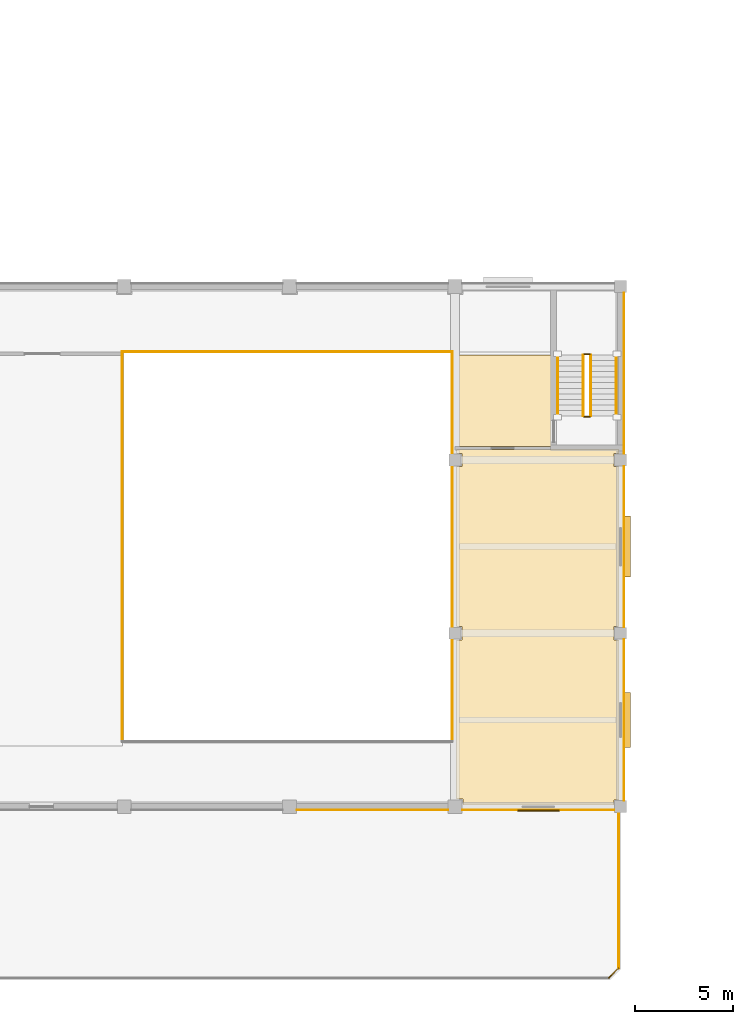
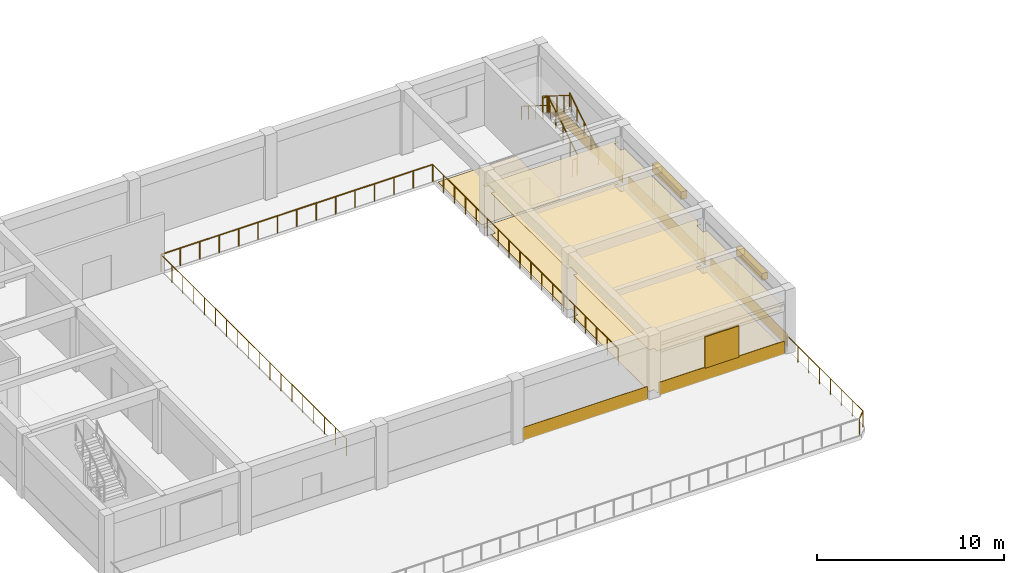
# One storey, part 47 of 57: 11 railings, 8 coverings, 3 shading devices.
"""IFC4 building model written with IfcOpenShell, lengths in metres."""

from ifc_helpers import new_model, si_unit, direction, frame, origin, origin_2d, place, context, subcontext, project, spatial, polyline, rectangle, circle, outline, extrude, material, layer, layer_set, type_object, element, save


model = new_model("IFC4")

# Units and contexts
model_context = context("Model", 3, precision=1e-05, world=origin(), true_north=direction((0.0, 1.0)))
body_context = subcontext(model_context, "Body", "Model", "MODEL_VIEW")
ifc_project = project(units=[si_unit("LENGTHUNIT", "METRE"), si_unit("AREAUNIT", "SQUARE_METRE"), si_unit("VOLUMEUNIT", "CUBIC_METRE"), si_unit("PLANEANGLEUNIT", "RADIAN"), si_unit("MASSUNIT", "GRAM", prefix="KILO")], contexts=[model_context])

# Site, building, storey
site_placement = place(None, origin())
site = spatial("IfcSite", under=ifc_project, at=site_placement, CompositionType="ELEMENT")
building_placement = place(site_placement, origin())
building = spatial("IfcBuilding", under=site, at=building_placement, Name="Kemercrest Conservatory and Botanical Centre", CompositionType="ELEMENT")
storey_placement = place(building_placement, frame((0.0, 0.0, 4.800048828125)))
storey = spatial("IfcBuildingStorey", under=building, at=storey_placement, Name="L01", CompositionType="ELEMENT", Elevation=4.800048828125)

# Coverings
ifc_material_1 = material(Name="Glazed turquoise ceramic tile spandrel", Category="masonry")
ifc_layer_1 = layer(ifc_material_1, 0.028076171875)
ifc_layer_set_1 = layer_set([ifc_layer_1], Name="Glazed turquoise ceramic tile spandrel")
covering_type_1 = type_object("IfcCoveringType", Name="CV-CLD028", PredefinedType="CLADDING", material=ifc_layer_set_1)
covering_1_placement = place(storey_placement, origin())
element("IfcCovering", 1, at=covering_1_placement, inside=storey, type_object=covering_type_1, Name="Exterior stone spandrel cladding (WAL:L01:EXT-040)", PredefinedType="CLADDING", context=body_context, shape_type="SweptSolid", body=[
    extrude(outline(polyline([(83.9599609375, 16.64990234375), (83.9599609375, 16.6220703125), (91.639892578125, 16.6220703125), (91.639892578125, 16.64990234375), (83.9599609375, 16.64990234375)])), origin(), (0.0, 0.0, 1.0), 0.849853515625),
])
covering_2_placement = place(storey_placement, origin())
element("IfcCovering", 2, at=covering_2_placement, inside=storey, type_object=covering_type_1, Name="Exterior stone spandrel cladding (WAL:L01:EXT-041)", PredefinedType="CLADDING", context=body_context, shape_type="SweptSolid", body=[
    extrude(outline(polyline([(92.360107421875, 16.64990234375), (92.360107421875, 16.6220703125), (100.090087890625, 16.6220703125), (100.090087890625, 16.64990234375), (92.360107421875, 16.64990234375)])), origin(), (0.0, 0.0, 1.0), 0.849853515625),
])
covering_3_placement = place(storey_placement, origin())
element("IfcCovering", 3, at=covering_3_placement, inside=storey, type_object=covering_type_1, Name="Exterior stone spandrel cladding (WAL:L01:EXT-042)", PredefinedType="CLADDING", context=body_context, shape_type="SweptSolid", body=[
    extrude(outline(polyline([(100.550048828125, 17.110107421875), (100.577880859375, 17.110107421875), (100.577880859375, 25.2900390625), (100.550048828125, 25.2900390625), (100.550048828125, 17.110107421875)])), origin(), (0.0, 0.0, 1.0), 0.849853515625),
])
covering_4_placement = place(storey_placement, origin())
element("IfcCovering", 4, at=covering_4_placement, inside=storey, type_object=covering_type_1, Name="Exterior stone spandrel cladding (WAL:L01:EXT-043)", PredefinedType="CLADDING", context=body_context, shape_type="SweptSolid", body=[
    extrude(outline(polyline([(100.550048828125, 25.909912109375), (100.577880859375, 25.909912109375), (100.577880859375, 34.090087890625), (100.550048828125, 34.090087890625), (100.550048828125, 25.909912109375)])), origin(), (0.0, 0.0, 1.0), 0.849853515625),
])
covering_5_placement = place(storey_placement, origin())
element("IfcCovering", 5, at=covering_5_placement, inside=storey, type_object=covering_type_1, Name="Exterior stone spandrel cladding (WAL:L01:EXT-044)", PredefinedType="CLADDING", context=body_context, shape_type="SweptSolid", body=[
    extrude(outline(polyline([(100.550048828125, 34.7099609375), (100.577880859375, 34.7099609375), (100.577880859375, 42.889892578125), (100.550048828125, 42.889892578125), (100.550048828125, 34.7099609375)])), origin(), (0.0, 0.0, 1.0), 0.849853515625),
])
ifc_material_2 = material(Name="Perforated acoustic gypsum and mineral-fibre suspended ceiling", Category="gypsum")
ifc_layer_2 = layer(ifc_material_2, 0.034912109375)
ifc_layer_set_2 = layer_set([ifc_layer_2], Name="Perforated acoustic gypsum and mineral-fibre suspended ceiling")
covering_type_2 = type_object("IfcCoveringType", Name="CV-CLG035", PredefinedType="CEILING", material=ifc_layer_set_2)
covering_6_placement = place(storey_placement, frame((0.0, 0.0, 2.699951171875)))
element("IfcCovering", 6, at=covering_6_placement, inside=storey, type_object=covering_type_2, Name="Simultaneous Interpretation Studio suspended acoustic ceiling", PredefinedType="CEILING", context=body_context, shape_type="SweptSolid", body=[
    extrude(outline(polyline([(92.389892578125, 16.8798828125), (100.06005859375, 16.8798828125), (100.06005859375, 17.139892578125), (100.320068359375, 17.139892578125), (100.320068359375, 25.260009765625), (100.06005859375, 25.260009765625), (100.06005859375, 25.93994140625), (100.320068359375, 25.93994140625), (100.320068359375, 34.06005859375), (100.06005859375, 34.06005859375), (100.06005859375, 34.739990234375), (100.320068359375, 34.739990234375), (100.320068359375, 34.919921875), (92.080078125, 34.919921875), (92.080078125, 34.739990234375), (92.340087890625, 34.739990234375), (92.340087890625, 34.06005859375), (92.080078125, 34.06005859375), (92.080078125, 25.93994140625), (92.340087890625, 25.93994140625), (92.340087890625, 25.260009765625), (92.080078125, 25.260009765625), (92.080078125, 17.18994140625), (92.389892578125, 17.18994140625), (92.389892578125, 16.8798828125)])), origin(), (0.0, 0.0, 1.0), 0.034912109375),
])
ifc_material_3 = material(Name="Polished limestone terrazzo and seamless laboratory epoxy flooring", Category="masonry")
ifc_layer_3 = layer(ifc_material_3, 0.02001953125)
ifc_layer_set_3 = layer_set([ifc_layer_3], Name="Polished limestone terrazzo and seamless laboratory epoxy flooring")
covering_type_3 = type_object("IfcCoveringType", Name="CV-FLR020", PredefinedType="FLOORING", material=ifc_layer_set_3)
covering_7_placement = place(storey_placement, origin())
element("IfcCovering", 7, at=covering_7_placement, inside=storey, type_object=covering_type_3, Name="East Auditorium Exit Lobby terrazzo floor finish", PredefinedType="FLOORING", context=body_context, shape_type="SweptSolid", body=[
    extrude(outline(polyline([(92.080078125, 35.080078125), (96.919921875, 35.080078125), (96.919921875, 39.719970703125), (92.080078125, 39.719970703125), (92.080078125, 35.080078125)])), origin(), (0.0, 0.0, 1.0), 0.02001953125),
])
covering_8_placement = place(storey_placement, origin())
element("IfcCovering", 8, at=covering_8_placement, inside=storey, type_object=covering_type_3, Name="Simultaneous Interpretation Studio floor finish", PredefinedType="FLOORING", context=body_context, shape_type="SweptSolid", body=[
    extrude(outline(polyline([(92.389892578125, 16.8798828125), (100.06005859375, 16.8798828125), (100.06005859375, 17.139892578125), (100.320068359375, 17.139892578125), (100.320068359375, 25.260009765625), (100.06005859375, 25.260009765625), (100.06005859375, 25.93994140625), (100.320068359375, 25.93994140625), (100.320068359375, 34.06005859375), (100.06005859375, 34.06005859375), (100.06005859375, 34.739990234375), (100.320068359375, 34.739990234375), (100.320068359375, 34.919921875), (92.080078125, 34.919921875), (92.080078125, 34.739990234375), (92.340087890625, 34.739990234375), (92.340087890625, 34.06005859375), (92.080078125, 34.06005859375), (92.080078125, 25.93994140625), (92.340087890625, 25.93994140625), (92.340087890625, 25.260009765625), (92.080078125, 25.260009765625), (92.080078125, 17.18994140625), (92.389892578125, 17.18994140625), (92.389892578125, 16.8798828125)])), origin(), (0.0, 0.0, 1.0), 0.02001953125),
])

# Railings
ifc_material_4 = material(Name="Painted galvanized steel tubular stair guardrail", Category="steel")
railing_type_1 = type_object("IfcRailingType", Name="GR-STR110", PredefinedType="GUARDRAIL", material=ifc_material_4)
railing_1_placement = place(storey_placement, frame((98.889892578125, 36.639892578125, 0.175048828125)))
element("IfcRailing", 9, at=railing_1_placement, inside=storey, type_object=railing_type_1, Name="L01 ST-V2B stair guard 1", PredefinedType="GUARDRAIL", context=body_context, shape_type="SweptSolid", body=[
    extrude(circle(Radius=0.02392578125, at=origin_2d()), frame((0.0, 0.0, 1.076171875), z_axis=(0.0, 0.848028513186, 0.529950602248), x_axis=(-1.0, 0.0, 0.0)), (0.0, 0.0, 1.0), 3.632080078125),
    extrude(circle(Radius=0.02099609375, at=origin_2d()), origin(), (0.0, 0.0, 1.0), 1.052001953125),
    extrude(circle(Radius=0.02099609375, at=origin_2d()), frame((0.0, 0.77001953125, 0.481201171875)), (0.0, 0.0, 1.0), 1.052001953125),
    extrude(circle(Radius=0.02099609375, at=origin_2d()), frame((0.0, 1.5400390625, 0.96240234375)), (0.0, 0.0, 1.0), 1.052001953125),
    extrude(circle(Radius=0.02099609375, at=origin_2d()), frame((0.0, 2.31005859375, 1.443603515625)), (0.0, 0.0, 1.0), 1.052001953125),
    extrude(circle(Radius=0.02099609375, at=origin_2d()), frame((0.0, 3.080078125, 1.9248046875)), (0.0, 0.0, 1.0), 1.052001953125),
])
railing_2_placement = place(storey_placement, frame((98.840087890625, 39.77001953125, 2.099853515625)))
element("IfcRailing", 10, at=railing_2_placement, inside=storey, type_object=railing_type_1, Name="L01 ST-V2B stair guard 2", PredefinedType="GUARDRAIL", context=body_context, shape_type="SweptSolid", body=[
    extrude(circle(Radius=0.02392578125, at=origin_2d()), frame((0.0, 0.0, 1.076171875), z_axis=(-1.0, 0.0, 0.0), x_axis=(0.0, -1.0, 0.0)), (0.0, 0.0, 1.0), 0.280029296875),
    extrude(circle(Radius=0.02099609375, at=origin_2d()), origin(), (0.0, 0.0, 1.0), 1.052001953125),
    extrude(circle(Radius=0.02099609375, at=origin_2d()), frame((-0.280029296875, 0.0, 0.0)), (0.0, 0.0, 1.0), 1.052001953125),
])
railing_3_placement = place(storey_placement, frame((98.510009765625, 39.719970703125, 2.27490234375)))
element("IfcRailing", 11, at=railing_3_placement, inside=storey, type_object=railing_type_1, Name="L01 ST-V2B stair guard 3", PredefinedType="GUARDRAIL", context=body_context, shape_type="SweptSolid", body=[
    extrude(circle(Radius=0.02392578125, at=origin_2d()), frame((0.0, 0.0, 1.076171875), z_axis=(0.0, -0.847998304005, 0.529998940003), x_axis=(1.0, 0.0, 0.0)), (0.0, 0.0, 1.0), 3.632080078125),
    extrude(circle(Radius=0.02099609375, at=origin_2d()), origin(), (0.0, 0.0, 1.0), 1.052001953125),
    extrude(circle(Radius=0.02099609375, at=origin_2d()), frame((0.0, -0.77001953125, 0.481201171875)), (0.0, 0.0, 1.0), 1.052001953125),
    extrude(circle(Radius=0.02099609375, at=origin_2d()), frame((0.0, -1.5400390625, 0.96240234375)), (0.0, 0.0, 1.0), 1.052001953125),
    extrude(circle(Radius=0.02099609375, at=origin_2d()), frame((0.0, -2.31005859375, 1.44384765625)), (0.0, 0.0, 1.0), 1.052001953125),
    extrude(circle(Radius=0.02099609375, at=origin_2d()), frame((0.0, -3.080078125, 1.925048828125)), (0.0, 0.0, 1.0), 1.052001953125),
])
railing_4_placement = place(storey_placement, frame((98.840087890625, 36.590087890625, 0.0)))
element("IfcRailing", 12, at=railing_4_placement, inside=storey, type_object=railing_type_1, Name="L01 ST-V2B stair guard 4", PredefinedType="GUARDRAIL", context=body_context, shape_type="SweptSolid", body=[
    extrude(circle(Radius=0.02392578125, at=origin_2d()), frame((0.0, 0.0, 1.076171875), z_axis=(-1.0, 0.0, 0.0), x_axis=(0.0, -1.0, 0.0)), (0.0, 0.0, 1.0), 0.280029296875),
    extrude(circle(Radius=0.02099609375, at=origin_2d()), origin(), (0.0, 0.0, 1.0), 1.052001953125),
    extrude(circle(Radius=0.02099609375, at=origin_2d()), frame((-0.280029296875, 0.0, 0.0)), (0.0, 0.0, 1.0), 1.052001953125),
])
ifc_material_5 = material(Name="Architectural bronze-anodized steel balustrade", Category="steel")
railing_type_2 = type_object("IfcRailingType", Name="GR-TER110", PredefinedType="GUARDRAIL", material=ifc_material_5)
railing_5_placement = place(storey_placement, frame((99.800048828125, 8.10009765625, 0.0)))
element("IfcRailing", 13, at=railing_5_placement, inside=storey, type_object=railing_type_2, Name="Safety guardrail GR-TER110 (V2-COL-4)", PredefinedType="GUARDRAIL", context=body_context, shape_type="SweptSolid", body=[
    extrude(circle(Radius=0.02392578125, at=origin_2d()), frame((0.0, 0.0, 1.076171875), z_axis=(0.707106781187, 0.707106781187, 0.0), x_axis=(-0.707106781187, 0.707106781187, 0.0)), (0.0, 0.0, 1.0), 0.70703125),
    extrude(circle(Radius=0.02099609375, at=origin_2d()), origin(), (0.0, 0.0, 1.0), 1.052001953125),
    extrude(circle(Radius=0.02099609375, at=origin_2d()), frame((0.5, 0.5, 0.0)), (0.0, 0.0, 1.0), 1.052001953125),
])
railing_6_placement = place(storey_placement, frame((100.300048828125, 8.60009765625, 0.0)))
element("IfcRailing", 14, at=railing_6_placement, inside=storey, type_object=railing_type_2, Name="Safety guardrail GR-TER110 (V2-COL-5)", PredefinedType="GUARDRAIL", context=body_context, shape_type="SweptSolid", body=[
    extrude(circle(Radius=0.02392578125, at=origin_2d()), frame((0.0, 0.0, 1.076171875), z_axis=(0.0, 1.0, 0.0), x_axis=(-1.0, 0.0, 0.0)), (0.0, 0.0, 1.0), 8.099853515625),
    extrude(circle(Radius=0.02099609375, at=origin_2d()), origin(), (0.0, 0.0, 1.0), 1.052001953125),
    extrude(circle(Radius=0.02099609375, at=origin_2d()), frame((0.0, 1.1572265625, 0.0)), (0.0, 0.0, 1.0), 1.052001953125),
    extrude(circle(Radius=0.02099609375, at=origin_2d()), frame((0.0, 2.314208984375, 0.0)), (0.0, 0.0, 1.0), 1.052001953125),
    extrude(circle(Radius=0.02099609375, at=origin_2d()), frame((0.0, 3.471435546875, 0.0)), (0.0, 0.0, 1.0), 1.052001953125),
    extrude(circle(Radius=0.02099609375, at=origin_2d()), frame((0.0, 4.62841796875, 0.0)), (0.0, 0.0, 1.0), 1.052001953125),
    extrude(circle(Radius=0.02099609375, at=origin_2d()), frame((0.0, 5.78564453125, 0.0)), (0.0, 0.0, 1.0), 1.052001953125),
    extrude(circle(Radius=0.02099609375, at=origin_2d()), frame((0.0, 6.942626953125, 0.0)), (0.0, 0.0, 1.0), 1.052001953125),
    extrude(circle(Radius=0.02099609375, at=origin_2d()), frame((0.0, 8.099853515625, 0.0)), (0.0, 0.0, 1.0), 1.052001953125),
])
railing_type_3 = type_object("IfcRailingType", Name="GR-VOI115", PredefinedType="GUARDRAIL", material=ifc_material_5)
railing_7_placement = place(storey_placement, frame((75.10009765625, 20.10009765625, 0.0)))
element("IfcRailing", 15, at=railing_7_placement, inside=storey, type_object=railing_type_3, Name="Safety guardrail GR-VOI115 (V2-BALC-2)", PredefinedType="GUARDRAIL", context=body_context, shape_type="SweptSolid", body=[
    extrude(circle(Radius=0.02392578125, at=origin_2d()), frame((0.0, 0.0, 1.1259765625), z_axis=(0.0, 1.0, 0.0), x_axis=(-1.0, 0.0, 0.0)), (0.0, 0.0, 1.0), 19.7998046875),
    extrude(circle(Radius=0.02099609375, at=origin_2d()), origin(), (0.0, 0.0, 1.0), 1.101806640625),
    extrude(circle(Radius=0.02099609375, at=origin_2d()), frame((0.0, 1.164794921875, 0.0)), (0.0, 0.0, 1.0), 1.101806640625),
    extrude(circle(Radius=0.02099609375, at=origin_2d()), frame((0.0, 2.329345703125, 0.0)), (0.0, 0.0, 1.0), 1.101806640625),
    extrude(circle(Radius=0.02099609375, at=origin_2d()), frame((0.0, 3.494140625, 0.0)), (0.0, 0.0, 1.0), 1.101806640625),
    extrude(circle(Radius=0.02099609375, at=origin_2d()), frame((0.0, 4.65869140625, 0.0)), (0.0, 0.0, 1.0), 1.101806640625),
    extrude(circle(Radius=0.02099609375, at=origin_2d()), frame((0.0, 5.823486328125, 0.0)), (0.0, 0.0, 1.0), 1.101806640625),
    extrude(circle(Radius=0.02099609375, at=origin_2d()), frame((0.0, 6.98828125, 0.0)), (0.0, 0.0, 1.0), 1.101806640625),
    extrude(circle(Radius=0.02099609375, at=origin_2d()), frame((0.0, 8.15283203125, 0.0)), (0.0, 0.0, 1.0), 1.101806640625),
    extrude(circle(Radius=0.02099609375, at=origin_2d()), frame((0.0, 9.317626953125, 0.0)), (0.0, 0.0, 1.0), 1.101806640625),
    extrude(circle(Radius=0.02099609375, at=origin_2d()), frame((0.0, 10.482177734375, 0.0)), (0.0, 0.0, 1.0), 1.101806640625),
    extrude(circle(Radius=0.02099609375, at=origin_2d()), frame((0.0, 11.64697265625, 0.0)), (0.0, 0.0, 1.0), 1.101806640625),
    extrude(circle(Radius=0.02099609375, at=origin_2d()), frame((0.0, 12.8115234375, 0.0)), (0.0, 0.0, 1.0), 1.101806640625),
    extrude(circle(Radius=0.02099609375, at=origin_2d()), frame((0.0, 13.976318359375, 0.0)), (0.0, 0.0, 1.0), 1.101806640625),
    extrude(circle(Radius=0.02099609375, at=origin_2d()), frame((0.0, 15.14111328125, 0.0)), (0.0, 0.0, 1.0), 1.101806640625),
    extrude(circle(Radius=0.02099609375, at=origin_2d()), frame((0.0, 16.3056640625, 0.0)), (0.0, 0.0, 1.0), 1.101806640625),
    extrude(circle(Radius=0.02099609375, at=origin_2d()), frame((0.0, 17.470458984375, 0.0)), (0.0, 0.0, 1.0), 1.101806640625),
    extrude(circle(Radius=0.02099609375, at=origin_2d()), frame((0.0, 18.635009765625, 0.0)), (0.0, 0.0, 1.0), 1.101806640625),
    extrude(circle(Radius=0.02099609375, at=origin_2d()), frame((0.0, 19.7998046875, 0.0)), (0.0, 0.0, 1.0), 1.101806640625),
])
railing_8_placement = place(storey_placement, frame((75.10009765625, 39.89990234375, 0.0)))
element("IfcRailing", 16, at=railing_8_placement, inside=storey, type_object=railing_type_3, Name="Safety guardrail GR-VOI115 (V2-BALC-3)", PredefinedType="GUARDRAIL", context=body_context, shape_type="SweptSolid", body=[
    extrude(circle(Radius=0.02392578125, at=origin_2d()), frame((0.0, 0.0, 1.1259765625), z_axis=(1.0, 0.0, 0.0), x_axis=(0.0, 1.0, 0.0)), (0.0, 0.0, 1.0), 16.75),
    extrude(circle(Radius=0.02099609375, at=origin_2d()), origin(), (0.0, 0.0, 1.0), 1.101806640625),
    extrude(circle(Radius=0.02099609375, at=origin_2d()), frame((1.196533203125, 0.0, 0.0)), (0.0, 0.0, 1.0), 1.101806640625),
    extrude(circle(Radius=0.02099609375, at=origin_2d()), frame((2.392822265625, 0.0, 0.0)), (0.0, 0.0, 1.0), 1.101806640625),
    extrude(circle(Radius=0.02099609375, at=origin_2d()), frame((3.58935546875, 0.0, 0.0)), (0.0, 0.0, 1.0), 1.101806640625),
    extrude(circle(Radius=0.02099609375, at=origin_2d()), frame((4.78564453125, 0.0, 0.0)), (0.0, 0.0, 1.0), 1.101806640625),
    extrude(circle(Radius=0.02099609375, at=origin_2d()), frame((5.982177734375, 0.0, 0.0)), (0.0, 0.0, 1.0), 1.101806640625),
    extrude(circle(Radius=0.02099609375, at=origin_2d()), frame((7.178466796875, 0.0, 0.0)), (0.0, 0.0, 1.0), 1.101806640625),
    extrude(circle(Radius=0.02099609375, at=origin_2d()), frame((8.375, 0.0, 0.0)), (0.0, 0.0, 1.0), 1.101806640625),
    extrude(circle(Radius=0.02099609375, at=origin_2d()), frame((9.571533203125, 0.0, 0.0)), (0.0, 0.0, 1.0), 1.101806640625),
    extrude(circle(Radius=0.02099609375, at=origin_2d()), frame((10.767822265625, 0.0, 0.0)), (0.0, 0.0, 1.0), 1.101806640625),
    extrude(circle(Radius=0.02099609375, at=origin_2d()), frame((11.96435546875, 0.0, 0.0)), (0.0, 0.0, 1.0), 1.101806640625),
    extrude(circle(Radius=0.02099609375, at=origin_2d()), frame((13.16064453125, 0.0, 0.0)), (0.0, 0.0, 1.0), 1.101806640625),
    extrude(circle(Radius=0.02099609375, at=origin_2d()), frame((14.357177734375, 0.0, 0.0)), (0.0, 0.0, 1.0), 1.101806640625),
    extrude(circle(Radius=0.02099609375, at=origin_2d()), frame((15.553466796875, 0.0, 0.0)), (0.0, 0.0, 1.0), 1.101806640625),
    extrude(circle(Radius=0.02099609375, at=origin_2d()), frame((16.75, 0.0, 0.0)), (0.0, 0.0, 1.0), 1.101806640625),
])
railing_9_placement = place(storey_placement, frame((91.85009765625, 39.89990234375, 0.0)))
element("IfcRailing", 17, at=railing_9_placement, inside=storey, type_object=railing_type_3, Name="Safety guardrail GR-VOI115 (V2-BALC-4)", PredefinedType="GUARDRAIL", context=body_context, shape_type="SweptSolid", body=[
    extrude(circle(Radius=0.02392578125, at=origin_2d()), frame((0.0, 0.0, 1.1259765625), z_axis=(0.0, -1.0, 0.0), x_axis=(1.0, 0.0, 0.0)), (0.0, 0.0, 1.0), 19.7998046875),
    extrude(circle(Radius=0.02099609375, at=origin_2d()), origin(), (0.0, 0.0, 1.0), 1.101806640625),
    extrude(circle(Radius=0.02099609375, at=origin_2d()), frame((0.0, -1.164794921875, 0.0)), (0.0, 0.0, 1.0), 1.101806640625),
    extrude(circle(Radius=0.02099609375, at=origin_2d()), frame((0.0, -2.329345703125, 0.0)), (0.0, 0.0, 1.0), 1.101806640625),
    extrude(circle(Radius=0.02099609375, at=origin_2d()), frame((0.0, -3.494140625, 0.0)), (0.0, 0.0, 1.0), 1.101806640625),
    extrude(circle(Radius=0.02099609375, at=origin_2d()), frame((0.0, -4.65869140625, 0.0)), (0.0, 0.0, 1.0), 1.101806640625),
    extrude(circle(Radius=0.02099609375, at=origin_2d()), frame((0.0, -5.823486328125, 0.0)), (0.0, 0.0, 1.0), 1.101806640625),
    extrude(circle(Radius=0.02099609375, at=origin_2d()), frame((0.0, -6.98828125, 0.0)), (0.0, 0.0, 1.0), 1.101806640625),
    extrude(circle(Radius=0.02099609375, at=origin_2d()), frame((0.0, -8.15283203125, 0.0)), (0.0, 0.0, 1.0), 1.101806640625),
    extrude(circle(Radius=0.02099609375, at=origin_2d()), frame((0.0, -9.317626953125, 0.0)), (0.0, 0.0, 1.0), 1.101806640625),
    extrude(circle(Radius=0.02099609375, at=origin_2d()), frame((0.0, -10.482177734375, 0.0)), (0.0, 0.0, 1.0), 1.101806640625),
    extrude(circle(Radius=0.02099609375, at=origin_2d()), frame((0.0, -11.64697265625, 0.0)), (0.0, 0.0, 1.0), 1.101806640625),
    extrude(circle(Radius=0.02099609375, at=origin_2d()), frame((0.0, -12.8115234375, 0.0)), (0.0, 0.0, 1.0), 1.101806640625),
    extrude(circle(Radius=0.02099609375, at=origin_2d()), frame((0.0, -13.976318359375, 0.0)), (0.0, 0.0, 1.0), 1.101806640625),
    extrude(circle(Radius=0.02099609375, at=origin_2d()), frame((0.0, -15.14111328125, 0.0)), (0.0, 0.0, 1.0), 1.101806640625),
    extrude(circle(Radius=0.02099609375, at=origin_2d()), frame((0.0, -16.3056640625, 0.0)), (0.0, 0.0, 1.0), 1.101806640625),
    extrude(circle(Radius=0.02099609375, at=origin_2d()), frame((0.0, -17.470458984375, 0.0)), (0.0, 0.0, 1.0), 1.101806640625),
    extrude(circle(Radius=0.02099609375, at=origin_2d()), frame((0.0, -18.635009765625, 0.0)), (0.0, 0.0, 1.0), 1.101806640625),
    extrude(circle(Radius=0.02099609375, at=origin_2d()), frame((0.0, -19.7998046875, 0.0)), (0.0, 0.0, 1.0), 1.101806640625),
])
ifc_material_6 = material(Name="Brushed stainless steel wall-mounted handrail", Category="steel")
railing_type_4 = type_object("IfcRailingType", Name="HR-STR090", PredefinedType="HANDRAIL", material=ifc_material_6)
railing_10_placement = place(storey_placement, frame((100.18994140625, 36.639892578125, 0.175048828125)))
element("IfcRailing", 18, at=railing_10_placement, inside=storey, type_object=railing_type_4, Name="L01 ST-V2B stair handrail 1", PredefinedType="HANDRAIL", context=body_context, shape_type="SweptSolid", body=[
    extrude(circle(Radius=0.02392578125, at=origin_2d()), frame((0.0, 0.0, 0.8759765625), z_axis=(0.0, 0.848028513186, 0.529950602248), x_axis=(-1.0, 0.0, 0.0)), (0.0, 0.0, 1.0), 3.632080078125),
    extrude(circle(Radius=0.02099609375, at=origin_2d()), origin(), (0.0, 0.0, 1.0), 0.851806640625),
    extrude(circle(Radius=0.02099609375, at=origin_2d()), frame((0.0, 0.77001953125, 0.481201171875)), (0.0, 0.0, 1.0), 0.851806640625),
    extrude(circle(Radius=0.02099609375, at=origin_2d()), frame((0.0, 1.5400390625, 0.96240234375)), (0.0, 0.0, 1.0), 0.851806640625),
    extrude(circle(Radius=0.02099609375, at=origin_2d()), frame((0.0, 2.31005859375, 1.443603515625)), (0.0, 0.0, 1.0), 0.851806640625),
    extrude(circle(Radius=0.02099609375, at=origin_2d()), frame((0.0, 3.080078125, 1.9248046875)), (0.0, 0.0, 1.0), 0.851806640625),
])
railing_11_placement = place(storey_placement, frame((97.2099609375, 39.719970703125, 2.27490234375)))
element("IfcRailing", 19, at=railing_11_placement, inside=storey, type_object=railing_type_4, Name="L01 ST-V2B stair handrail 2", PredefinedType="HANDRAIL", context=body_context, shape_type="SweptSolid", body=[
    extrude(circle(Radius=0.02392578125, at=origin_2d()), frame((0.0, 0.0, 0.8759765625), z_axis=(0.0, -0.847998304005, 0.529998940003), x_axis=(1.0, 0.0, 0.0)), (0.0, 0.0, 1.0), 3.632080078125),
    extrude(circle(Radius=0.02099609375, at=origin_2d()), origin(), (0.0, 0.0, 1.0), 0.851806640625),
    extrude(circle(Radius=0.02099609375, at=origin_2d()), frame((0.0, -0.77001953125, 0.481201171875)), (0.0, 0.0, 1.0), 0.851806640625),
    extrude(circle(Radius=0.02099609375, at=origin_2d()), frame((0.0, -1.5400390625, 0.96240234375)), (0.0, 0.0, 1.0), 0.851806640625),
    extrude(circle(Radius=0.02099609375, at=origin_2d()), frame((0.0, -2.31005859375, 1.44384765625)), (0.0, 0.0, 1.0), 0.851806640625),
    extrude(circle(Radius=0.02099609375, at=origin_2d()), frame((0.0, -3.080078125, 1.925048828125)), (0.0, 0.0, 1.0), 0.851806640625),
])

# Shading devices
ifc_material_7 = material(Name="Architectural bronze-anodized extruded aluminium", Category="aluminium")
shading_device_type_1 = type_object("IfcShadingDeviceType", Name="SH-JL03", PredefinedType="JALOUSIE", material=ifc_material_7)
shading_device_1_placement = place(storey_placement, frame((100.722900390625, 21.199951171875, 2.69482421875), z_axis=(0.0, 0.0, 1.0), x_axis=(0.0, 1.0, 0.0)))
element("IfcShadingDevice", 20, at=shading_device_1_placement, inside=storey, type_object=shading_device_type_1, Name="Solar control louvre visor SH-JL03 (WIN:L01:EXT-042)", PredefinedType="JALOUSIE", context=body_context, shape_type="SweptSolid", body=[
    extrude(rectangle(XDim=2.800048828125, YDim=0.35009765625, at=origin_2d()), origin(), (0.0, 0.0, 1.0), 0.449951171875),
])
shading_device_type_2 = type_object("IfcShadingDeviceType", Name="SH-JL04", PredefinedType="JALOUSIE", material=ifc_material_7)
shading_device_2_placement = place(storey_placement, frame((100.722900390625, 30.0, 2.7099609375), z_axis=(0.0, 0.0, 1.0), x_axis=(0.0, 1.0, 0.0)))
element("IfcShadingDevice", 21, at=shading_device_2_placement, inside=storey, type_object=shading_device_type_2, Name="Solar control louvre visor SH-JL04 (WIN:L01:EXT-043)", PredefinedType="JALOUSIE", context=body_context, shape_type="SweptSolid", body=[
    extrude(rectangle(XDim=3.10009765625, YDim=0.35009765625, at=origin_2d()), origin(), (0.0, 0.0, 1.0), 0.5),
])
ifc_material_8 = material(Name="Perforated bronze-anodized aluminium", Category="aluminium")
shading_device_type_3 = type_object("IfcShadingDeviceType", Name="SH-MS02", PredefinedType="USERDEFINED", material=ifc_material_8)
shading_device_3_placement = place(storey_placement, frame((96.22509765625, 16.612060546875, 0.81982421875), z_axis=(0.0, 0.0, 1.0), x_axis=(1.0, 0.0, 0.0)))
element("IfcShadingDevice", 22, at=shading_device_3_placement, inside=storey, type_object=shading_device_type_3, Name="Ottoman mashrabiya perforated screen SH-MS02 (WIN:L01:EXT-041)", ObjectType="MASHRABIYA SCREEN", PredefinedType="USERDEFINED", context=body_context, shape_type="SweptSolid", body=[
    extrude(rectangle(XDim=2.10009765625, YDim=0.080078125, at=origin_2d()), origin(), (0.0, 0.0, 1.0), 2.0400390625),
])

save(model, "model.ifc")
